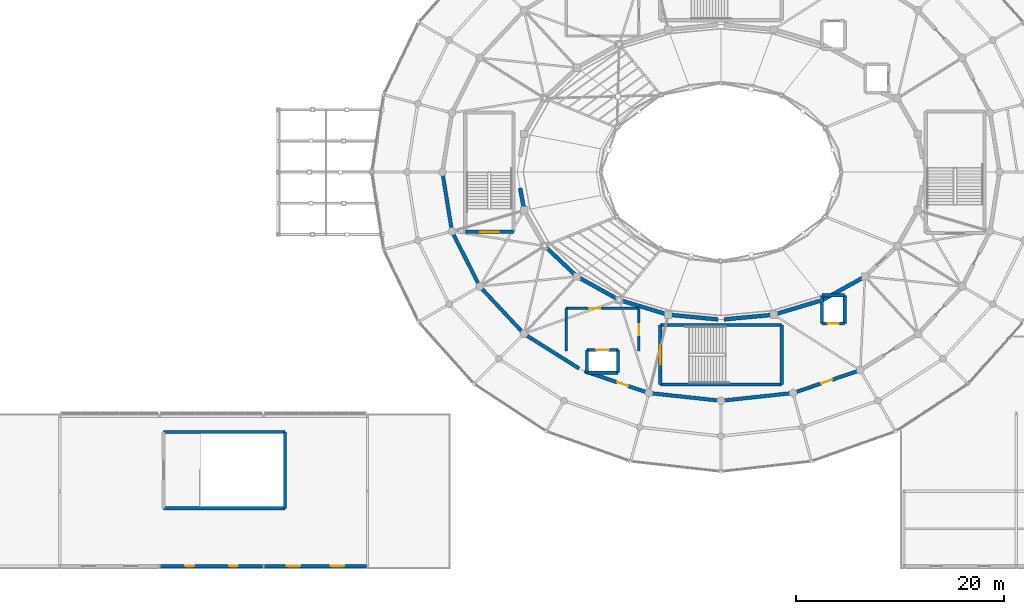
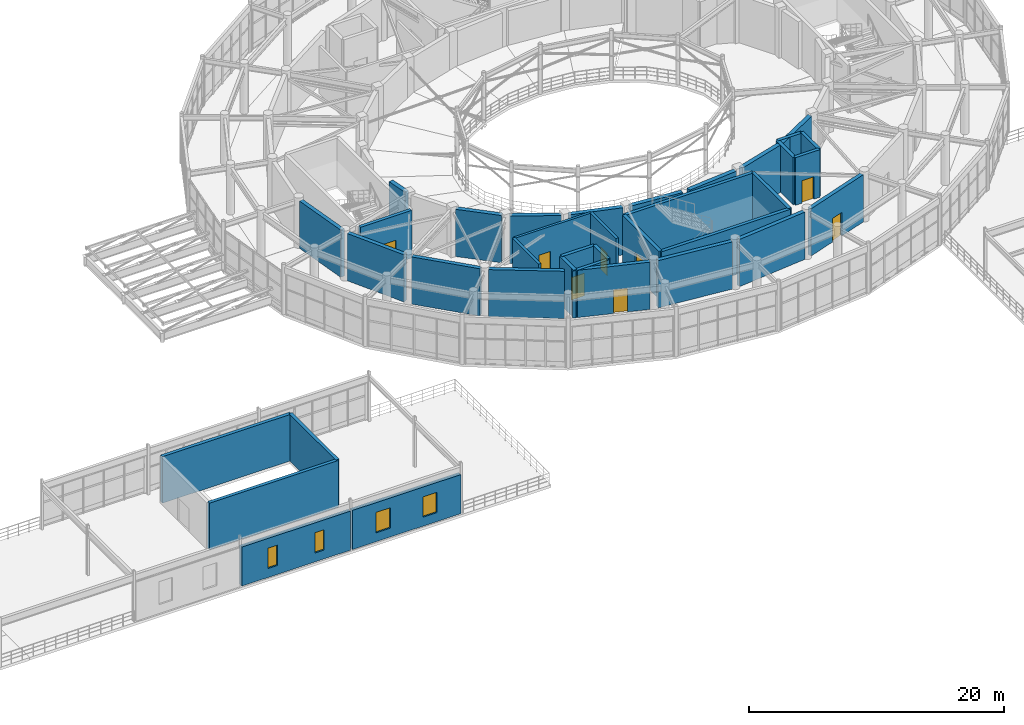
# One storey, part 105 of 144: 37 walls, 8 doors, 4 windows, 12 openings.
"""IFC4 building model written with IfcOpenShell, lengths in metres."""

from ifc_helpers import new_model, si_unit, direction, frame, frame_2d, origin, place, context, subcontext, project, spatial, rectangle, extrude, material, layer, layer_set, type_object, element, fill, save


model = new_model("IFC4")

# Units and contexts
model_context = context("Model", 3, precision=1e-05, world=origin(), true_north=direction((0.0, 1.0)))
body_context = subcontext(model_context, "Body", "Model", "MODEL_VIEW")
ifc_project = project(units=[si_unit("LENGTHUNIT", "METRE"), si_unit("AREAUNIT", "SQUARE_METRE"), si_unit("VOLUMEUNIT", "CUBIC_METRE"), si_unit("PLANEANGLEUNIT", "RADIAN"), si_unit("MASSUNIT", "GRAM", prefix="KILO")], contexts=[model_context])

# Site, building, storey
site_placement = place(None, origin())
site = spatial("IfcSite", under=ifc_project, at=site_placement, CompositionType="ELEMENT")
building_placement = place(site_placement, origin())
building = spatial("IfcBuilding", under=site, at=building_placement, Name="Cinderbank Siding Concert Hall", CompositionType="ELEMENT")
storey_placement = place(building_placement, frame((0.0, 0.0, 5.39990234375)))
storey = spatial("IfcBuildingStorey", under=building, at=storey_placement, Name="L02", CompositionType="ELEMENT", Elevation=5.39990234375)

# Walls
ifc_material_1 = material(Name="Reinforced concrete AS 3600 N50 (50 MPa)", Category="concrete")
ifc_layer_1 = layer(ifc_material_1, 0.3798828125)
ifc_layer_set_1 = layer_set([ifc_layer_1], Name="Reinforced concrete AS 3600 N50 (50 MPa)")
wall_type_1 = type_object("IfcWallType", Name="WL-01 Structural Wall 380mm", PredefinedType="SOLIDWALL", material=ifc_layer_set_1)
wall_1_placement = place(storey_placement, frame((102.678955078125, 42.465087890625, 0.0), z_axis=(0.0, 0.0, 1.0), x_axis=(0.178749049923, -0.983894698203, 0.0)))
element("IfcWall", 1, at=wall_1_placement, inside=storey, type_object=wall_type_1, Name="L02 Structural Wall SW-E1-L02-13", PredefinedType="SOLIDWALL", context=body_context, shape_type="SweptSolid", body=[
    extrude(rectangle(XDim=1.890380859375, YDim=0.3798828125, at=frame_2d((0.9453125, 0.0))), origin(), (0.0, 0.0, 1.0), 4.52001953125),
])
wall_2_placement = place(storey_placement, frame((105.233154296875, 36.704345703125, 0.0), z_axis=(0.0, 0.0, 1.0), x_axis=(0.727127996206, -0.686501913423, 0.0)))
element("IfcWall", 2, at=wall_2_placement, inside=storey, type_object=wall_type_1, Name="L02 Structural Wall SW-E1-L02-15", PredefinedType="SOLIDWALL", context=body_context, shape_type="SweptSolid", body=[
    extrude(rectangle(XDim=3.7138671875, YDim=0.3798828125, at=frame_2d((1.85693359375, 0.0))), origin(), (0.0, 0.0, 1.0), 4.52001953125),
])
wall_3_placement = place(storey_placement, frame((108.389892578125, 33.820556640625, 0.0), z_axis=(0.0, 0.0, 1.0), x_axis=(0.87401308715, -0.485902380618, 0.0)))
element("IfcWall", 3, at=wall_3_placement, inside=storey, type_object=wall_type_1, Name="L02 Structural Wall SW-E1-L02-16", PredefinedType="SOLIDWALL", context=body_context, shape_type="SweptSolid", body=[
    extrude(rectangle(XDim=4.074462890625, YDim=0.3798828125, at=frame_2d((2.037109375, 0.0))), origin(), (0.0, 0.0, 1.0), 4.52001953125),
])
wall_4_placement = place(storey_placement, frame((112.472900390625, 31.62060546875, 0.0), z_axis=(0.0, 0.0, 1.0), x_axis=(0.957792414988, -0.287460762177, 0.0)))
element("IfcWall", 4, at=wall_4_placement, inside=storey, type_object=wall_type_1, Name="L02 Structural Wall SW-E1-L02-17", PredefinedType="SOLIDWALL", context=body_context, shape_type="SweptSolid", body=[
    extrude(rectangle(XDim=4.365478515625, YDim=0.3798828125, at=frame_2d((2.1826171875, 0.0))), origin(), (0.0, 0.0, 1.0), 4.52001953125),
])
for number, where, z_axis, x_axis, name in (
    (5, (117.210693359375, 30.2568359375, 0.0), (0.0, 0.0, 1.0), (0.995484276796, -0.094926575052, 0.0), "L02 Structural Wall SW-E1-L02-18"),
    (6, (122.298583984375, 29.82861328125, 0.0), (0.0, 0.0, 1.0), (0.995484276796, 0.094926575052, 0.0), "L02 Structural Wall SW-E1-L02-19"),
):
    element("IfcWall", number, at=place(storey_placement, frame(where, z_axis=z_axis, x_axis=x_axis)), inside=storey, type_object=wall_type_1, Name=name, PredefinedType="SOLIDWALL", context=body_context, shape_type="SweptSolid", body=[
        extrude(rectangle(XDim=4.510986328125, YDim=0.3798828125, at=frame_2d((2.25537109375, 0.0))), origin(), (0.0, 0.0, 1.0), 4.52001953125),
    ])
wall_5_placement = place(storey_placement, frame((127.345947265625, 30.36572265625, 0.0), z_axis=(0.0, 0.0, 1.0), x_axis=(0.957796933165, 0.287445707604, 0.0)))
element("IfcWall", 7, at=wall_5_placement, inside=storey, type_object=wall_type_1, Name="L02 Structural Wall SW-E1-L02-20", PredefinedType="SOLIDWALL", context=body_context, shape_type="SweptSolid", body=[
    extrude(rectangle(XDim=4.350341796875, YDim=0.3798828125, at=frame_2d((2.17529296875, 0.0))), origin(), (0.0, 0.0, 1.0), 4.52001953125),
])
wall_6_placement = place(storey_placement, frame((131.800048828125, 31.702392578125, 0.0), z_axis=(0.0, 0.0, 1.0), x_axis=(0.874014584072, 0.485899688031, 0.0)))
element("IfcWall", 8, at=wall_6_placement, inside=storey, type_object=wall_type_1, Name="L02 Structural Wall SW-E1-L02-21", PredefinedType="SOLIDWALL", context=body_context, shape_type="SweptSolid", body=[
    extrude(rectangle(XDim=4.359375, YDim=0.3798828125, at=frame_2d((2.1796875, 0.0))), origin(), (0.0, 0.0, 1.0), 4.52001953125),
])
ifc_layer_2 = layer(ifc_material_1, 0.35009765625)
ifc_layer_set_2 = layer_set([ifc_layer_2], Name="Reinforced concrete AS 3600 N50 (50 MPa)")
wall_type_2 = type_object("IfcWallType", Name="WL-02 Structural Wall 350mm", PredefinedType="SHEAR", material=ifc_layer_set_2)
wall_7_placement = place(storey_placement, frame((95.2490234375, 43.69384765625, 0.0), z_axis=(0.0, 0.0, 1.0), x_axis=(0.158388253677, -0.98737690934, 0.0)))
element("IfcWall", 9, at=wall_7_placement, inside=storey, type_object=wall_type_2, Name="L02 Structural Wall SW-E2-L02-13", PredefinedType="SHEAR", context=body_context, shape_type="SweptSolid", body=[
    extrude(rectangle(XDim=5.146728515625, YDim=0.35009765625, at=frame_2d((2.5732421875, 0.0))), origin(), (0.0, 0.0, 1.0), 4.52001953125),
])
wall_8_placement = place(storey_placement, frame((96.252685546875, 38.029296875, 0.0), z_axis=(0.0, 0.0, 1.0), x_axis=(0.450512686904, -0.892770025784, 0.0)))
element("IfcWall", 10, at=wall_8_placement, inside=storey, type_object=wall_type_2, Name="L02 Structural Wall SW-E2-L02-14", PredefinedType="SHEAR", context=body_context, shape_type="SweptSolid", body=[
    extrude(rectangle(XDim=5.3232421875, YDim=0.35009765625, at=frame_2d((2.66162109375, 0.0))), origin(), (0.0, 0.0, 1.0), 4.52001953125),
])
wall_9_placement = place(storey_placement, frame((99.002197265625, 32.7734375, 0.0), z_axis=(0.0, 0.0, 1.0), x_axis=(0.682886399388, -0.730524582427, 0.0)))
element("IfcWall", 11, at=wall_9_placement, inside=storey, type_object=wall_type_2, Name="L02 Structural Wall SW-E2-L02-15", PredefinedType="SHEAR", context=body_context, shape_type="SweptSolid", body=[
    extrude(rectangle(XDim=5.616943359375, YDim=0.35009765625, at=frame_2d((2.80859375, 0.0))), origin(), (0.0, 0.0, 1.0), 4.52001953125),
])
wall_10_placement = place(storey_placement, frame((103.311767578125, 28.278564453125, 0.0), z_axis=(0.0, 0.0, 1.0), x_axis=(0.846132783073, -0.532972150688, 0.0)))
element("IfcWall", 12, at=wall_10_placement, inside=storey, type_object=wall_type_2, Name="L02 Structural Wall SW-E2-L02-16", PredefinedType="SHEAR", context=body_context, shape_type="SweptSolid", body=[
    extrude(rectangle(XDim=5.949951171875, YDim=0.35009765625, at=frame_2d((2.97509765625, 0.0))), origin(), (0.0, 0.0, 1.0), 4.52001953125),
])

# Wall, opening, door
wall_11_placement = place(storey_placement, frame((108.884033203125, 24.850830078125, 0.0), z_axis=(0.0, 0.0, 1.0), x_axis=(0.946761494057, -0.321935821821, 0.0)))
wall_11 = element("IfcWall", 13, at=wall_11_placement, inside=storey, type_object=wall_type_2, Name="L02 Structural Wall SW-E2-L02-17", PredefinedType="SHEAR", context=body_context, shape_type="SweptSolid", body=[
    extrude(rectangle(XDim=6.217041015625, YDim=0.35009765625, at=frame_2d((3.1083984375, 0.0))), origin(), (0.0, 0.0, 1.0), 4.52001953125),
])
opening_1_placement = place(wall_11_placement, frame((3.298583984375, 0.0, 0.0)))
opening_1 = element("IfcOpeningElement", 14, at=opening_1_placement, cuts=wall_11, Name="Opening D-19", PredefinedType="OPENING", context=body_context, shape_type="SweptSolid", body=[
    extrude(rectangle(XDim=1.1201171875, YDim=2.260009765625, at=frame_2d((0.56005859375, 1.1298828125))), frame((0.0, 0.18701171875, 0.0), z_axis=(0.0, -1.0, 0.0), x_axis=(1.0, 0.0, 0.0)), (0.0, 0.0, 1.0), 0.3740234375),
])
ifc_material_2 = material(Name="Solid-core spotted gum acoustic timber", Category="wood")
door_type_1 = type_object("IfcDoorType", Name="D-19 Interior Door 1120x2260", OperationType="NOTDEFINED", PredefinedType="DOOR", material=ifc_material_2)
door_1_placement = place(opening_1_placement, origin())
door_1 = element("IfcDoor", 15, at=door_1_placement, inside=storey, type_object=door_type_1, Name="L02 Auditorium Sound-Lock Door L02-D137", OperationType="SINGLE_SWING_RIGHT", OverallHeight=2.260009765625, OverallWidth=1.1201171875, PredefinedType="DOOR", context=body_context, shape_type="SweptSolid", body=[
    extrude(rectangle(XDim=1.1201171875, YDim=2.260009765625, at=frame_2d((0.56005859375, 1.1298828125))), frame((0.0, 0.02490234375, 0.0), z_axis=(0.0, -1.0, 0.0), x_axis=(1.0, 0.0, 0.0)), (0.0, 0.0, 1.0), 0.050048828125),
])
fill(opening_1, door_1)

# Walls
for number, where, z_axis, x_axis, name in (
    (16, (115.371826171875, 22.71630859375, 0.0), (0.0, 0.0, 1.0), (0.99420948753, -0.107459270912, 0.0), "L02 Structural Wall SW-E2-L02-18"),
    (17, (122.30810546875, 22.033203125, 0.0), (0.0, 0.0, 1.0), (0.99420948753, 0.107459270912, 0.0), "L02 Structural Wall SW-E2-L02-19"),
):
    element("IfcWall", number, at=place(storey_placement, frame(where, z_axis=z_axis, x_axis=x_axis)), inside=storey, type_object=wall_type_2, Name=name, PredefinedType="SHEAR", context=body_context, shape_type="SweptSolid", body=[
        extrude(rectangle(XDim=6.35693359375, YDim=0.35009765625, at=frame_2d((3.178466796875, 0.0))), origin(), (0.0, 0.0, 1.0), 4.52001953125),
    ])

# Wall, opening, door
wall_12_placement = place(storey_placement, frame((129.22998046875, 22.849365234375, 0.0), z_axis=(0.0, 0.0, 1.0), x_axis=(0.946758358714, 0.321945042213, 0.0)))
wall_12 = element("IfcWall", 18, at=wall_12_placement, inside=storey, type_object=wall_type_2, Name="L02 Structural Wall SW-E2-L02-20", PredefinedType="SHEAR", context=body_context, shape_type="SweptSolid", body=[
    extrude(rectangle(XDim=6.20703125, YDim=0.35009765625, at=frame_2d((3.103515625, 0.0))), origin(), (0.0, 0.0, 1.0), 4.52001953125),
])
opening_2_placement = place(wall_12_placement, frame((2.54345703125, 0.0, 0.0)))
opening_2 = element("IfcOpeningElement", 19, at=opening_2_placement, cuts=wall_12, Name="Opening D-19", PredefinedType="OPENING", context=body_context, shape_type="SweptSolid", body=[
    extrude(rectangle(XDim=1.1201171875, YDim=2.260009765625, at=frame_2d((0.56005859375, 1.1298828125))), frame((0.0, 0.18701171875, 0.0), z_axis=(0.0, -1.0, 0.0), x_axis=(1.0, 0.0, 0.0)), (0.0, 0.0, 1.0), 0.3740234375),
])
door_2_placement = place(opening_2_placement, origin())
door_2 = element("IfcDoor", 20, at=door_2_placement, inside=storey, type_object=door_type_1, Name="L02 Auditorium Sound-Lock Door L02-D138", OperationType="SINGLE_SWING_LEFT", OverallHeight=2.260009765625, OverallWidth=1.1201171875, PredefinedType="DOOR", context=body_context, shape_type="SweptSolid", body=[
    extrude(rectangle(XDim=1.1201171875, YDim=2.260009765625, at=frame_2d((0.56005859375, 1.1298828125))), frame((0.0, 0.02490234375, 0.0), z_axis=(0.0, -1.0, 0.0), x_axis=(1.0, 0.0, 0.0)), (0.0, 0.0, 1.0), 0.050048828125),
])
fill(opening_2, door_2)

ifc_layer_3 = layer(ifc_material_1, 0.300048828125)
ifc_layer_set_3 = layer_set([ifc_layer_3], Name="Reinforced concrete AS 3600 N50 (50 MPa)")
wall_type_3 = type_object("IfcWallType", Name="WL-03 Structural Wall 300mm", PredefinedType="SHEAR", material=ifc_layer_set_3)
wall_13_placement = place(storey_placement, frame((116.159912109375, 23.56005859375, 0.0), z_axis=(0.0, 0.0, 1.0), x_axis=(0.0, 1.0, 0.0)))
wall_13 = element("IfcWall", 21, at=wall_13_placement, inside=storey, type_object=wall_type_3, Name="L02 ST-02 Core Wall ENTRY", PredefinedType="SHEAR", context=body_context, shape_type="SweptSolid", body=[
    extrude(rectangle(XDim=5.739990234375, YDim=0.300048828125, at=frame_2d((2.8701171875, 0.0))), origin(), (0.0, 0.0, 1.0), 4.550048828125),
])
opening_3_placement = place(wall_13_placement, frame((1.969970703125, 0.0, 0.0)))
opening_3 = element("IfcOpeningElement", 22, at=opening_3_placement, cuts=wall_13, Name="Opening D-05", PredefinedType="OPENING", context=body_context, shape_type="SweptSolid", body=[
    extrude(rectangle(XDim=1.800048828125, YDim=2.199951171875, at=frame_2d((0.89990234375, 1.10009765625))), frame((0.0, 0.162109375, 0.0), z_axis=(0.0, -1.0, 0.0), x_axis=(1.0, 0.0, 0.0)), (0.0, 0.0, 1.0), 0.323974609375),
])
ifc_material_3 = material(Name="Galvanised sheet steel acoustic fire door assembly", Category="steel")
door_type_2 = type_object("IfcDoorType", Name="D-05 Interior Door 1800x2200", OperationType="DOUBLE_DOOR_SINGLE_SWING", PredefinedType="DOOR", material=ifc_material_3)
door_3_placement = place(opening_3_placement, origin())
door_3 = element("IfcDoor", 23, at=door_3_placement, inside=storey, type_object=door_type_2, Name="L02 ST-02 Fire Stair Door L02-D010", OperationType="DOUBLE_DOOR_SINGLE_SWING", OverallHeight=2.199951171875, OverallWidth=1.800048828125, PredefinedType="DOOR", context=body_context, shape_type="SweptSolid", body=[
    extrude(rectangle(XDim=1.800048828125, YDim=2.199951171875, at=frame_2d((0.89990234375, 1.10009765625))), frame((0.0, 0.02490234375, 0.0), z_axis=(0.0, -1.0, 0.0), x_axis=(1.0, 0.0, 0.0)), (0.0, 0.0, 1.0), 0.050048828125),
])
fill(opening_3, door_3)

# Walls
wall_14_placement = place(storey_placement, frame((127.840087890625, 29.300048828125, 0.0), z_axis=(0.0, 0.0, 1.0), x_axis=(0.0, -1.0, 0.0)))
element("IfcWall", 24, at=wall_14_placement, inside=storey, type_object=wall_type_3, Name="L02 ST-02 Core Wall FAR", PredefinedType="SHEAR", context=body_context, shape_type="SweptSolid", body=[
    extrude(rectangle(XDim=5.739990234375, YDim=0.300048828125, at=frame_2d((2.8701171875, 0.0))), origin(), (0.0, 0.0, 1.0), 4.550048828125),
])
for number, where, z_axis, x_axis, name in (
    (25, (127.840087890625, 23.56005859375, 0.0), (0.0, 0.0, 1.0), (-1.0, 0.0, 0.0), "L02 ST-02 Core Wall SIDE1"),
    (26, (116.159912109375, 29.300048828125, 0.0), (0.0, 0.0, 1.0), (1.0, 0.0, 0.0), "L02 ST-02 Core Wall SIDE2"),
):
    element("IfcWall", number, at=place(storey_placement, frame(where, z_axis=z_axis, x_axis=x_axis)), inside=storey, type_object=wall_type_3, Name=name, PredefinedType="SHEAR", context=body_context, shape_type="SweptSolid", body=[
        extrude(rectangle(XDim=11.68017578125, YDim=0.300048828125, at=frame_2d((5.840087890625, 0.0))), origin(), (0.0, 0.0, 1.0), 4.550048828125),
    ])

# Wall, opening, door
wall_15_placement = place(storey_placement, frame((102.0400390625, 38.260009765625, 0.0), z_axis=(0.0, 0.0, 1.0), x_axis=(-1.0, 0.0, 0.0)))
wall_15 = element("IfcWall", 27, at=wall_15_placement, inside=storey, type_object=wall_type_3, Name="L02 ST-04 Core Wall ENTRY", PredefinedType="SHEAR", context=body_context, shape_type="SweptSolid", body=[
    extrude(rectangle(XDim=4.64013671875, YDim=0.300048828125, at=frame_2d((2.320068359375, 0.0))), origin(), (0.0, 0.0, 1.0), 4.550048828125),
])
opening_4_placement = place(wall_15_placement, frame((1.419921875, 0.0, 0.0)))
opening_4 = element("IfcOpeningElement", 28, at=opening_4_placement, cuts=wall_15, Name="Opening D-05", PredefinedType="OPENING", context=body_context, shape_type="SweptSolid", body=[
    extrude(rectangle(XDim=1.800048828125, YDim=2.199951171875, at=frame_2d((0.89990234375, 1.10009765625))), frame((0.0, 0.162109375, 0.0), z_axis=(0.0, -1.0, 0.0), x_axis=(1.0, 0.0, 0.0)), (0.0, 0.0, 1.0), 0.323974609375),
])
door_4_placement = place(opening_4_placement, origin())
door_4 = element("IfcDoor", 29, at=door_4_placement, inside=storey, type_object=door_type_2, Name="L02 ST-04 Fire Stair Door L02-D024", OperationType="DOUBLE_DOOR_SINGLE_SWING", OverallHeight=2.199951171875, OverallWidth=1.800048828125, PredefinedType="DOOR", context=body_context, shape_type="SweptSolid", body=[
    extrude(rectangle(XDim=1.800048828125, YDim=2.199951171875, at=frame_2d((0.89990234375, 1.10009765625))), frame((0.0, 0.02490234375, 0.0), z_axis=(0.0, -1.0, 0.0), x_axis=(1.0, 0.0, 0.0)), (0.0, 0.0, 1.0), 0.050048828125),
])
fill(opening_4, door_4)

# Walls
wall_16_placement = place(storey_placement, frame((80.0400390625, 19.0, 0.0), z_axis=(0.0, 0.0, 1.0), x_axis=(0.0, -1.0, 0.0)))
element("IfcWall", 30, at=wall_16_placement, inside=storey, type_object=wall_type_3, Name="L02 ST-08 Core Wall FAR", PredefinedType="SHEAR", context=body_context, shape_type="SweptSolid", body=[
    extrude(rectangle(XDim=7.340087890625, YDim=0.300048828125, at=frame_2d((3.669921875, 0.0))), origin(), (0.0, 0.0, 1.0), 4.4501953125),
])
for number, where, z_axis, x_axis, name in (
    (31, (80.0400390625, 11.659912109375, 0.0), (0.0, 0.0, 1.0), (-1.0, 0.0, 0.0), "L02 ST-08 Core Wall SIDE1"),
    (32, (68.360107421875, 19.0, 0.0), (0.0, 0.0, 1.0), (1.0, 0.0, 0.0), "L02 ST-08 Core Wall SIDE2"),
):
    element("IfcWall", number, at=place(storey_placement, frame(where, z_axis=z_axis, x_axis=x_axis)), inside=storey, type_object=wall_type_3, Name=name, PredefinedType="SHEAR", context=body_context, shape_type="SweptSolid", body=[
        extrude(rectangle(XDim=11.679931640625, YDim=0.300048828125, at=frame_2d((5.83984375, 0.0))), origin(), (0.0, 0.0, 1.0), 4.4501953125),
    ])

# Wall, opening, door
wall_17_placement = place(storey_placement, frame((133.89990234375, 29.449951171875, 0.0), z_axis=(0.0, 0.0, 1.0), x_axis=(-1.0, 0.0, 0.0)))
wall_17 = element("IfcWall", 33, at=wall_17_placement, inside=storey, type_object=wall_type_3, Name="L02 LF-02 Shaft Wall -Y", PredefinedType="SHEAR", context=body_context, shape_type="SweptSolid", body=[
    extrude(rectangle(XDim=2.199951171875, YDim=0.300048828125, at=frame_2d((1.10009765625, 0.0))), origin(), (0.0, 0.0, 1.0), 4.550048828125),
])
opening_5_placement = place(wall_17_placement, frame((0.550048828125, 0.0, 0.0)))
opening_5 = element("IfcOpeningElement", 34, at=opening_5_placement, cuts=wall_17, Name="Opening LD-01", PredefinedType="OPENING", context=body_context, shape_type="SweptSolid", body=[
    extrude(rectangle(XDim=1.10009765625, YDim=2.14990234375, at=frame_2d((0.550048828125, 1.074951171875))), frame((0.0, 0.162109375, 0.0), z_axis=(0.0, -1.0, 0.0), x_axis=(1.0, 0.0, 0.0)), (0.0, 0.0, 1.0), 0.323974609375),
])
door_type_3 = type_object("IfcDoorType", Name="LD-01 Interior Door 1100x2150", OperationType="DOUBLE_DOOR_SLIDING", PredefinedType="DOOR", material=ifc_material_3)
door_5_placement = place(opening_5_placement, origin())
door_5 = element("IfcDoor", 35, at=door_5_placement, inside=storey, type_object=door_type_3, Name="L02 LF-02 Sliding Landing Door", OperationType="DOUBLE_DOOR_SLIDING", OverallHeight=2.14990234375, OverallWidth=1.10009765625, PredefinedType="DOOR", context=body_context, shape_type="SweptSolid", body=[
    extrude(rectangle(XDim=1.10009765625, YDim=2.14990234375, at=frame_2d((0.550048828125, 1.074951171875))), frame((0.0, 0.02490234375, 0.0), z_axis=(0.0, -1.0, 0.0), x_axis=(1.0, 0.0, 0.0)), (0.0, 0.0, 1.0), 0.050048828125),
])
fill(opening_5, door_5)

# Walls
wall_18_placement = place(storey_placement, frame((133.89990234375, 32.14990234375, 0.0), z_axis=(0.0, 0.0, 1.0), x_axis=(0.0, -1.0, 0.0)))
element("IfcWall", 36, at=wall_18_placement, inside=storey, type_object=wall_type_3, Name="L02 LF-02 Shaft Wall +X", PredefinedType="SHEAR", context=body_context, shape_type="SweptSolid", body=[
    extrude(rectangle(XDim=2.699951171875, YDim=0.300048828125, at=frame_2d((1.35009765625, 0.0))), origin(), (0.0, 0.0, 1.0), 4.550048828125),
])
wall_19_placement = place(storey_placement, frame((131.699951171875, 32.14990234375, 0.0), z_axis=(0.0, 0.0, 1.0), x_axis=(1.0, 0.0, 0.0)))
element("IfcWall", 37, at=wall_19_placement, inside=storey, type_object=wall_type_3, Name="L02 LF-02 Shaft Wall +Y", PredefinedType="SHEAR", context=body_context, shape_type="SweptSolid", body=[
    extrude(rectangle(XDim=2.199951171875, YDim=0.300048828125, at=frame_2d((1.10009765625, 0.0))), origin(), (0.0, 0.0, 1.0), 4.52001953125),
])
wall_20_placement = place(storey_placement, frame((131.699951171875, 29.449951171875, 0.0), z_axis=(0.0, 0.0, 1.0), x_axis=(0.0, 1.0, 0.0)))
element("IfcWall", 38, at=wall_20_placement, inside=storey, type_object=wall_type_3, Name="L02 LF-02 Shaft Wall -X", PredefinedType="SHEAR", context=body_context, shape_type="SweptSolid", body=[
    extrude(rectangle(XDim=2.699951171875, YDim=0.300048828125, at=frame_2d((1.35009765625, 0.0))), origin(), (0.0, 0.0, 1.0), 4.52001953125),
])
wall_21_placement = place(storey_placement, frame((112.10009765625, 24.699951171875, 0.0), z_axis=(0.0, 0.0, 1.0), x_axis=(-1.0, 0.0, 0.0)))
element("IfcWall", 39, at=wall_21_placement, inside=storey, type_object=wall_type_3, Name="L02 LF-05 Shaft Wall -Y", PredefinedType="SHEAR", context=body_context, shape_type="SweptSolid", body=[
    extrude(rectangle(XDim=3.0, YDim=0.300048828125, at=frame_2d((1.5, 0.0))), origin(), (0.0, 0.0, 1.0), 4.52001953125),
])
wall_22_placement = place(storey_placement, frame((112.10009765625, 26.89990234375, 0.0), z_axis=(0.0, 0.0, 1.0), x_axis=(0.0, -1.0, 0.0)))
element("IfcWall", 40, at=wall_22_placement, inside=storey, type_object=wall_type_3, Name="L02 LF-05 Shaft Wall +X", PredefinedType="SHEAR", context=body_context, shape_type="SweptSolid", body=[
    extrude(rectangle(XDim=2.199951171875, YDim=0.300048828125, at=frame_2d((1.10009765625, 0.0))), origin(), (0.0, 0.0, 1.0), 4.550048828125),
])

# Wall, opening, door
wall_23_placement = place(storey_placement, frame((109.10009765625, 26.89990234375, 0.0), z_axis=(0.0, 0.0, 1.0), x_axis=(1.0, 0.0, 0.0)))
wall_23 = element("IfcWall", 41, at=wall_23_placement, inside=storey, type_object=wall_type_3, Name="L02 LF-05 Shaft Wall +Y", PredefinedType="SHEAR", context=body_context, shape_type="SweptSolid", body=[
    extrude(rectangle(XDim=3.0, YDim=0.300048828125, at=frame_2d((1.5, 0.0))), origin(), (0.0, 0.0, 1.0), 4.550048828125),
])
opening_6_placement = place(wall_23_placement, frame((0.89990234375, 0.0, 0.0)))
opening_6 = element("IfcOpeningElement", 42, at=opening_6_placement, cuts=wall_23, Name="Opening LD-02", PredefinedType="OPENING", context=body_context, shape_type="SweptSolid", body=[
    extrude(rectangle(XDim=1.199951171875, YDim=2.14990234375, at=frame_2d((0.60009765625, 1.074951171875))), frame((0.0, 0.162109375, 0.0), z_axis=(0.0, -1.0, 0.0), x_axis=(1.0, 0.0, 0.0)), (0.0, 0.0, 1.0), 0.323974609375),
])
door_type_4 = type_object("IfcDoorType", Name="LD-02 Interior Door 1200x2150", OperationType="DOUBLE_DOOR_SLIDING", PredefinedType="DOOR", material=ifc_material_3)
door_6_placement = place(opening_6_placement, origin())
door_6 = element("IfcDoor", 43, at=door_6_placement, inside=storey, type_object=door_type_4, Name="L02 LF-05 Sliding Landing Door", OperationType="DOUBLE_DOOR_SLIDING", OverallHeight=2.14990234375, OverallWidth=1.199951171875, PredefinedType="DOOR", context=body_context, shape_type="SweptSolid", body=[
    extrude(rectangle(XDim=1.199951171875, YDim=2.14990234375, at=frame_2d((0.60009765625, 1.074951171875))), frame((0.0, 0.02490234375, 0.0), z_axis=(0.0, -1.0, 0.0), x_axis=(1.0, 0.0, 0.0)), (0.0, 0.0, 1.0), 0.050048828125),
])
fill(opening_6, door_6)

# Wall
wall_24_placement = place(storey_placement, frame((109.10009765625, 24.699951171875, 0.0), z_axis=(0.0, 0.0, 1.0), x_axis=(0.0, 1.0, 0.0)))
element("IfcWall", 44, at=wall_24_placement, inside=storey, type_object=wall_type_3, Name="L02 LF-05 Shaft Wall -X", PredefinedType="SHEAR", context=body_context, shape_type="SweptSolid", body=[
    extrude(rectangle(XDim=2.199951171875, YDim=0.300048828125, at=frame_2d((1.10009765625, 0.0))), origin(), (0.0, 0.0, 1.0), 4.52001953125),
])

# Wall, opening, door
ifc_layer_4 = layer(ifc_material_1, 0.219970703125)
ifc_layer_set_4 = layer_set([ifc_layer_4], Name="Reinforced concrete AS 3600 N50 (50 MPa)")
wall_type_4 = type_object("IfcWallType", Name="WL-06 Interior Wall 220mm", PredefinedType="SOLIDWALL", material=ifc_layer_set_4)
wall_25_placement = place(storey_placement, frame((107.10009765625, 30.89990234375, 0.0), z_axis=(0.0, 0.0, 1.0), x_axis=(1.0, 0.0, 0.0)))
wall_25 = element("IfcWall", 45, at=wall_25_placement, inside=storey, type_object=wall_type_4, Name="L02 Firefighting Lobby Wall FFLS-N", PredefinedType="SOLIDWALL", context=body_context, shape_type="SweptSolid", body=[
    extrude(rectangle(XDim=7.0, YDim=0.219970703125, at=frame_2d((3.5, 0.0))), origin(), (0.0, 0.0, 1.0), 4.53515625),
])
opening_7_placement = place(wall_25_placement, frame((2.22509765625, 0.0, 0.0)))
opening_7 = element("IfcOpeningElement", 46, at=opening_7_placement, cuts=wall_25, Name="Opening D-02", PredefinedType="OPENING", context=body_context, shape_type="SweptSolid", body=[
    extrude(rectangle(XDim=1.050048828125, YDim=2.14990234375, at=frame_2d((0.52490234375, 1.074951171875))), frame((0.0, 0.1220703125, 0.0), z_axis=(0.0, -1.0, 0.0), x_axis=(1.0, 0.0, 0.0)), (0.0, 0.0, 1.0), 0.243896484375),
])
door_type_5 = type_object("IfcDoorType", Name="D-02 Interior Door 1050x2150", OperationType="NOTDEFINED", PredefinedType="DOOR", material=ifc_material_3)
door_7_placement = place(opening_7_placement, origin())
door_7 = element("IfcDoor", 47, at=door_7_placement, inside=storey, type_object=door_type_5, Name="L02 Firefighting Lobby Door L02-D072", OperationType="SINGLE_SWING_LEFT", OverallHeight=2.14990234375, OverallWidth=1.050048828125, PredefinedType="DOOR", context=body_context, shape_type="SweptSolid", body=[
    extrude(rectangle(XDim=1.050048828125, YDim=2.14990234375, at=frame_2d((0.52490234375, 1.074951171875))), frame((0.0, 0.02490234375, 0.0), z_axis=(0.0, -1.0, 0.0), x_axis=(1.0, 0.0, 0.0)), (0.0, 0.0, 1.0), 0.050048828125),
])
fill(opening_7, door_7)

# Wall
wall_26_placement = place(storey_placement, frame((107.10009765625, 26.800048828125, 0.0), z_axis=(0.0, 0.0, 1.0), x_axis=(0.0, 1.0, 0.0)))
element("IfcWall", 48, at=wall_26_placement, inside=storey, type_object=wall_type_4, Name="L02 Firefighting Lobby Wall FFLS-W", PredefinedType="SOLIDWALL", context=body_context, shape_type="SweptSolid", body=[
    extrude(rectangle(XDim=4.099853515625, YDim=0.219970703125, at=frame_2d((2.0498046875, 0.0))), origin(), (0.0, 0.0, 1.0), 4.53515625),
])

# Wall, opening, door
wall_27_placement = place(storey_placement, frame((114.10009765625, 30.89990234375, 0.0), z_axis=(0.0, 0.0, 1.0), x_axis=(0.0, -1.0, 0.0)))
wall_27 = element("IfcWall", 49, at=wall_27_placement, inside=storey, type_object=wall_type_4, Name="L02 Firefighting Lobby Wall FFLS-E", PredefinedType="SOLIDWALL", context=body_context, shape_type="SweptSolid", body=[
    extrude(rectangle(XDim=4.099853515625, YDim=0.219970703125, at=frame_2d((2.0498046875, 0.0))), origin(), (0.0, 0.0, 1.0), 4.53515625),
])
opening_8_placement = place(wall_27_placement, frame((1.52490234375, 0.0, 0.0)))
opening_8 = element("IfcOpeningElement", 50, at=opening_8_placement, cuts=wall_27, Name="Opening D-02", PredefinedType="OPENING", context=body_context, shape_type="SweptSolid", body=[
    extrude(rectangle(XDim=1.050048828125, YDim=2.14990234375, at=frame_2d((0.52490234375, 1.074951171875))), frame((0.0, 0.1220703125, 0.0), z_axis=(0.0, -1.0, 0.0), x_axis=(1.0, 0.0, 0.0)), (0.0, 0.0, 1.0), 0.243896484375),
])
door_8_placement = place(opening_8_placement, origin())
door_8 = element("IfcDoor", 51, at=door_8_placement, inside=storey, type_object=door_type_5, Name="L02 Firefighting Lobby Door L02-D073", OperationType="SINGLE_SWING_RIGHT", OverallHeight=2.14990234375, OverallWidth=1.050048828125, PredefinedType="DOOR", context=body_context, shape_type="SweptSolid", body=[
    extrude(rectangle(XDim=1.050048828125, YDim=2.14990234375, at=frame_2d((0.52490234375, 1.074951171875))), frame((0.0, 0.02490234375, 0.0), z_axis=(0.0, -1.0, 0.0), x_axis=(1.0, 0.0, 0.0)), (0.0, 0.0, 1.0), 0.050048828125),
])
fill(opening_8, door_8)

# Wall, openings, windows
ifc_material_4 = material(Name="Clinker clay brickwork masonry AS 3700 (20 MPa)", Category="masonry")
ifc_layer_5 = layer(ifc_material_4, 0.340087890625)
ifc_layer_set_5 = layer_set([ifc_layer_5], Name="Clinker clay brickwork masonry AS 3700 (20 MPa)")
wall_type_5 = type_object("IfcWallType", Name="WL-07 Exterior Wall 340mm", PredefinedType="STANDARD", material=ifc_layer_set_5)
wall_28_placement = place(storey_placement, frame((77.91259765625, 6.10009765625, 0.0), z_axis=(0.0, 0.0, 1.0), x_axis=(-1.0, 0.0, 0.0)))
wall_28 = element("IfcWall", 52, at=wall_28_placement, inside=storey, type_object=wall_type_5, Name="L02 Facade Wall EW-SL-S2-L02", PredefinedType="STANDARD", context=body_context, shape_type="SweptSolid", body=[
    extrude(rectangle(XDim=9.8251953125, YDim=0.340087890625, at=frame_2d((4.91259765625, 0.0))), origin(), (0.0, 0.0, 1.0), 3.737060546875),
])
opening_9_placement = place(wall_28_placement, frame((2.381103515625, 0.0, 0.85009765625)))
opening_9 = element("IfcOpeningElement", 53, at=opening_9_placement, cuts=wall_28, Name="Opening WN-09", PredefinedType="OPENING", context=body_context, shape_type="SweptSolid", body=[
    extrude(rectangle(XDim=0.85009765625, YDim=1.949951171875, at=frame_2d((0.425048828125, 0.97509765625))), frame((0.0, 0.18212890625, 0.0), z_axis=(0.0, -1.0, 0.0), x_axis=(1.0, 0.0, 0.0)), (0.0, 0.0, 1.0), 0.364013671875),
])
opening_10_placement = place(wall_28_placement, frame((6.59375, 0.0, 0.85009765625)))
opening_10 = element("IfcOpeningElement", 54, at=opening_10_placement, cuts=wall_28, Name="Opening WN-09", PredefinedType="OPENING", context=body_context, shape_type="SweptSolid", body=[
    extrude(rectangle(XDim=0.85009765625, YDim=1.949951171875, at=frame_2d((0.425048828125, 0.97509765625))), frame((0.0, 0.18212890625, 0.0), z_axis=(0.0, -1.0, 0.0), x_axis=(1.0, 0.0, 0.0)), (0.0, 0.0, 1.0), 0.364013671875),
])
ifc_material_5 = material(Name="Double-glazed laminated acoustic glass", Category="glass")
window_type_1 = type_object("IfcWindowType", Name="WN-09 Acoustic Casement Window 850x1950", PartitioningType="DOUBLE_PANEL_VERTICAL", PredefinedType="WINDOW", material=ifc_material_5)
window_1_placement = place(opening_9_placement, origin())
window_1 = element("IfcWindow", 55, at=window_1_placement, inside=storey, type_object=window_type_1, Name="L02 Facade Window #207", OverallHeight=1.949951171875, OverallWidth=0.85009765625, PartitioningType="DOUBLE_PANEL_VERTICAL", PredefinedType="WINDOW", context=body_context, shape_type="SweptSolid", body=[
    extrude(rectangle(XDim=0.85009765625, YDim=1.949951171875, at=frame_2d((0.425048828125, 0.97509765625))), frame((0.0, 0.030029296875, 0.0), z_axis=(0.0, -1.0, 0.0), x_axis=(1.0, 0.0, 0.0)), (0.0, 0.0, 1.0), 0.06005859375),
])
fill(opening_9, window_1)
window_2_placement = place(opening_10_placement, origin())
window_2 = element("IfcWindow", 56, at=window_2_placement, inside=storey, type_object=window_type_1, Name="L02 Facade Window #208", OverallHeight=1.949951171875, OverallWidth=0.85009765625, PartitioningType="DOUBLE_PANEL_VERTICAL", PredefinedType="WINDOW", context=body_context, shape_type="SweptSolid", body=[
    extrude(rectangle(XDim=0.85009765625, YDim=1.949951171875, at=frame_2d((0.425048828125, 0.97509765625))), frame((0.0, 0.030029296875, 0.0), z_axis=(0.0, -1.0, 0.0), x_axis=(1.0, 0.0, 0.0)), (0.0, 0.0, 1.0), 0.06005859375),
])
fill(opening_10, window_2)

wall_29_placement = place(storey_placement, frame((87.91259765625, 6.10009765625, 0.0), z_axis=(0.0, 0.0, 1.0), x_axis=(-1.0, 0.0, 0.0)))
wall_29 = element("IfcWall", 57, at=wall_29_placement, inside=storey, type_object=wall_type_5, Name="L02 Facade Wall EW-SL-S3-L02", PredefinedType="STANDARD", context=body_context, shape_type="SweptSolid", body=[
    extrude(rectangle(XDim=9.8251953125, YDim=0.340087890625, at=frame_2d((4.91259765625, 0.0))), origin(), (0.0, 0.0, 1.0), 3.737060546875),
])
opening_11_placement = place(wall_29_placement, frame((2.15625, 0.0, 0.85009765625)))
opening_11 = element("IfcOpeningElement", 58, at=opening_11_placement, cuts=wall_29, Name="Opening WN-13", PredefinedType="OPENING", context=body_context, shape_type="SweptSolid", body=[
    extrude(rectangle(XDim=1.300048828125, YDim=1.949951171875, at=frame_2d((0.64990234375, 0.97509765625))), frame((0.0, 0.18212890625, 0.0), z_axis=(0.0, -1.0, 0.0), x_axis=(1.0, 0.0, 0.0)), (0.0, 0.0, 1.0), 0.364013671875),
])
opening_12_placement = place(wall_29_placement, frame((6.36865234375, 0.0, 0.85009765625)))
opening_12 = element("IfcOpeningElement", 59, at=opening_12_placement, cuts=wall_29, Name="Opening WN-13", PredefinedType="OPENING", context=body_context, shape_type="SweptSolid", body=[
    extrude(rectangle(XDim=1.300048828125, YDim=1.949951171875, at=frame_2d((0.64990234375, 0.97509765625))), frame((0.0, 0.18212890625, 0.0), z_axis=(0.0, -1.0, 0.0), x_axis=(1.0, 0.0, 0.0)), (0.0, 0.0, 1.0), 0.364013671875),
])
window_type_2 = type_object("IfcWindowType", Name="WN-13 Acoustic Casement Window 1300x1950", PartitioningType="DOUBLE_PANEL_VERTICAL", PredefinedType="WINDOW", material=ifc_material_5)
window_3_placement = place(opening_11_placement, origin())
window_3 = element("IfcWindow", 60, at=window_3_placement, inside=storey, type_object=window_type_2, Name="L02 Facade Window #211", OverallHeight=1.949951171875, OverallWidth=1.300048828125, PartitioningType="DOUBLE_PANEL_VERTICAL", PredefinedType="WINDOW", context=body_context, shape_type="SweptSolid", body=[
    extrude(rectangle(XDim=1.300048828125, YDim=1.949951171875, at=frame_2d((0.64990234375, 0.97509765625))), frame((0.0, 0.030029296875, 0.0), z_axis=(0.0, -1.0, 0.0), x_axis=(1.0, 0.0, 0.0)), (0.0, 0.0, 1.0), 0.06005859375),
])
fill(opening_11, window_3)
window_4_placement = place(opening_12_placement, origin())
window_4 = element("IfcWindow", 61, at=window_4_placement, inside=storey, type_object=window_type_2, Name="L02 Facade Window #212", OverallHeight=1.949951171875, OverallWidth=1.300048828125, PartitioningType="DOUBLE_PANEL_VERTICAL", PredefinedType="WINDOW", context=body_context, shape_type="SweptSolid", body=[
    extrude(rectangle(XDim=1.300048828125, YDim=1.949951171875, at=frame_2d((0.64990234375, 0.97509765625))), frame((0.0, 0.030029296875, 0.0), z_axis=(0.0, -1.0, 0.0), x_axis=(1.0, 0.0, 0.0)), (0.0, 0.0, 1.0), 0.06005859375),
])
fill(opening_12, window_4)

save(model, "model.ifc")
